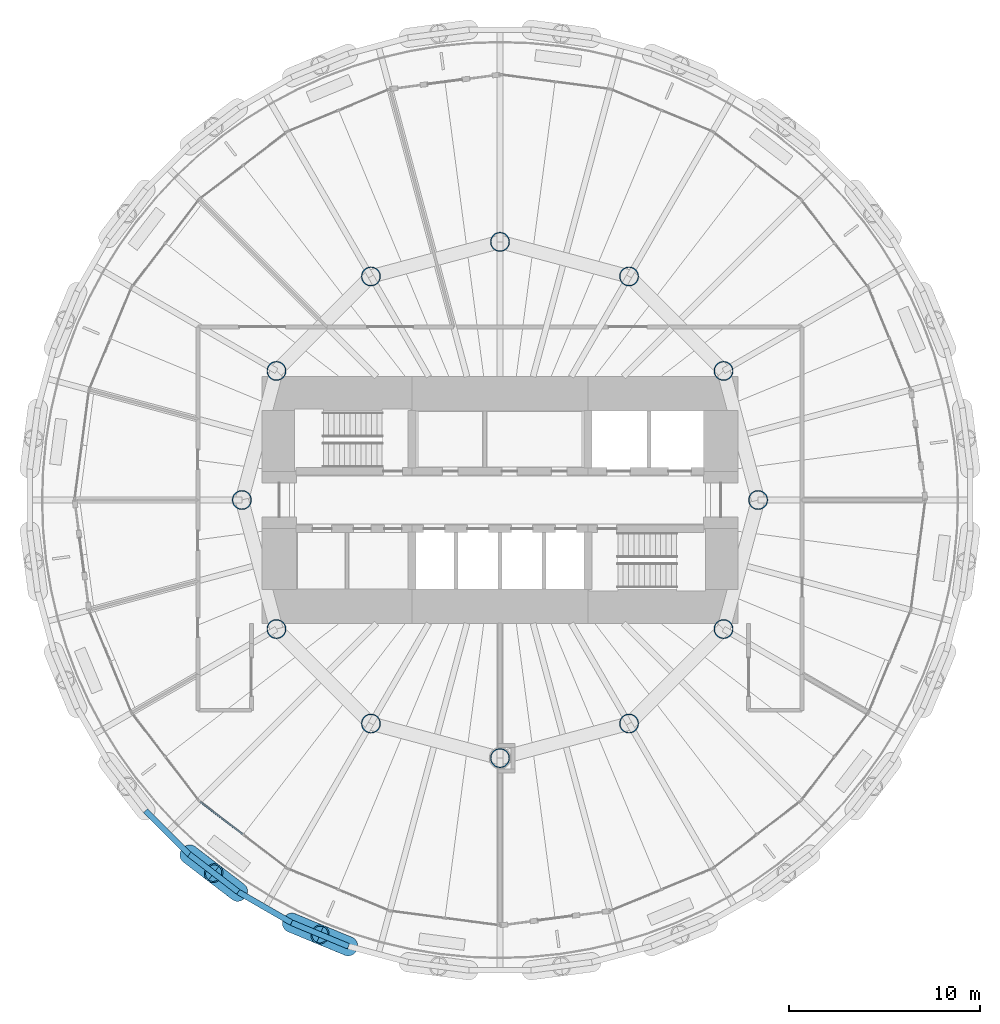
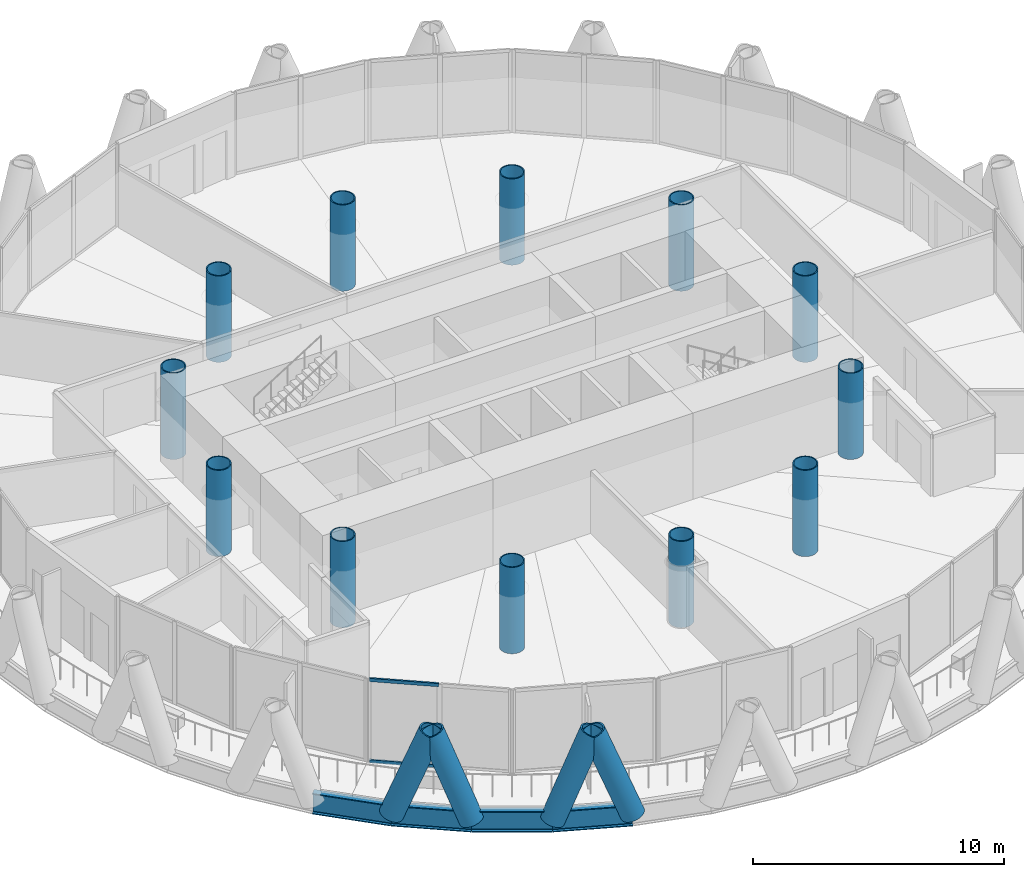
# One storey, part 1 of 15: 12 columns, 6 members, 4 beams, 1 element without a shape of its own.
"""IFC4 building model written with IfcOpenShell, lengths in metres."""

from ifc_helpers import new_model, si_unit, direction, frame, origin, origin_2d, place, context, subcontext, project, spatial, rectangle, hollow_circle, i_section, extrude, material, material_profile, profile_set, type_object, element, aggregate, save


model = new_model("IFC4")

# Units and contexts
model_context = context("Model", 3, precision=1e-05, world=origin(), true_north=direction((0.0, 1.0)))
body_context = subcontext(model_context, "Body", "Model", "MODEL_VIEW")
ifc_project = project(units=[si_unit("LENGTHUNIT", "METRE"), si_unit("AREAUNIT", "SQUARE_METRE"), si_unit("VOLUMEUNIT", "CUBIC_METRE"), si_unit("PLANEANGLEUNIT", "RADIAN"), si_unit("MASSUNIT", "GRAM", prefix="KILO")], contexts=[model_context])

# Site, building, storey
site_placement = place(None, origin())
site = spatial("IfcSite", under=ifc_project, at=site_placement, CompositionType="ELEMENT")
building_placement = place(site_placement, origin())
building = spatial("IfcBuilding", under=site, at=building_placement, Name="Qaws Media Tower", CompositionType="ELEMENT")
storey_placement = place(building_placement, frame((0.0, 0.0, 164.60009765625)))
storey = spatial("IfcBuildingStorey", under=building, at=storey_placement, Name="L37", CompositionType="ELEMENT", Elevation=164.60009765625)

# Columns
ifc_material_1 = material(Name="Steel S460", Category="steel")
ifc_material_profile_1 = material_profile(ifc_material_1, hollow_circle(Radius=0.508056640625, WallThickness=0.050048828125, at=origin_2d()), Name="CHS 1016x50")
ifc_profile_set_1 = profile_set([ifc_material_profile_1], Name="Steel S460")
column_type = type_object("IfcColumnType", Name="Inner column CHS 1016x50", PredefinedType="COLUMN", material=ifc_profile_set_1)
for number, where, z_axis, x_axis, name in (
    (1, (73.5, 50.0, 0.0), (0.0, 0.0, 1.0), (1.0, 0.0, 0.0), "C2 inner column I01 L37"),
    (2, (71.69140625, 56.75, 0.0), (0.0, 0.0, 1.0), (1.0, 0.0, 0.0), "C2 inner column I02 L37"),
    (3, (66.75, 61.69140625, 0.0), (0.0, 0.0, 1.0), (1.0, 0.0, 0.0), "C2 inner column I03 L37"),
    (4, (60.0, 63.5, 0.0), (0.0, 0.0, 1.0), (1.0, 0.0, 0.0), "C2 inner column I04 L37"),
    (5, (53.25, 61.69140625, 0.0), (0.0, 0.0, 1.0), (1.0, 0.0, 0.0), "C2 inner column I05 L37"),
    (6, (48.30859375, 56.75, 0.0), (0.0, 0.0, 1.0), (1.0, 0.0, 0.0), "C2 inner column I06 L37"),
    (7, (46.5, 50.0, 0.0), (0.0, 0.0, 1.0), (1.0, 0.0, 0.0), "C2 inner column I07 L37"),
    (8, (48.30859375, 43.25, 0.0), (0.0, 0.0, 1.0), (1.0, 0.0, 0.0), "C2 inner column I08 L37"),
    (9, (53.25, 38.30859375, 0.0), (0.0, 0.0, 1.0), (1.0, 0.0, 0.0), "C2 inner column I09 L37"),
    (10, (60.0, 36.5, 0.0), (0.0, 0.0, 1.0), (1.0, 0.0, 0.0), "C2 inner column I10 L37"),
    (11, (66.75, 38.30859375, 0.0), (0.0, 0.0, 1.0), (1.0, 0.0, 0.0), "C2 inner column I11 L37"),
    (12, (71.69140625, 43.25, 0.0), (0.0, 0.0, 1.0), (1.0, 0.0, 0.0), "C2 inner column I12 L37"),
):
    element("IfcColumn", number, at=place(storey_placement, frame(where, z_axis=z_axis, x_axis=x_axis)), inside=storey, type_object=column_type, Name=name, PredefinedType="COLUMN", context=body_context, shape_type="SweptSolid", body=[
        extrude(hollow_circle(Radius=0.508056640625, WallThickness=0.050048828125, at=origin_2d()), origin(), (0.0, 0.0, 1.0), 4.199951171875),
    ])

# Curtain wall, members
ifc_material_2 = material(Name="Aluminium and clear glass", Category="aluminium")
curtain_wall_type = type_object("IfcCurtainWallType", Name="Unitised curtain wall CW-B", PredefinedType="NOTDEFINED", material=ifc_material_2)
curtain_wall_placement = place(storey_placement, origin())
curtain_wall = element("IfcCurtainWall", 13, at=curtain_wall_placement, inside=storey, type_object=curtain_wall_type, Name="CWB curtain wall L37-16", PredefinedType="NOTDEFINED")
ifc_material_3 = material(Name="Aluminium transom", Category="aluminium")
ifc_material_profile_2 = material_profile(ifc_material_3, rectangle(XDim=0.080078125, YDim=0.159912109375, at=origin_2d()), Name="80x160")
ifc_profile_set_2 = profile_set([ifc_material_profile_2], Name="Aluminium transom")
member_type_1 = type_object("IfcMemberType", Name="Curtain wall transom 80x160", PredefinedType="USERDEFINED", material=ifc_profile_set_2)
member_1_placement = place(storey_placement, frame((44.330322265625, 34.21826171875, 0.039794921875), z_axis=(0.79334379464, -0.608773868942, 0.0), x_axis=(0.608773868942, 0.79334379464, 0.0)))
member_1 = element("IfcMember", 14, at=member_1_placement, type_object=member_type_1, Name="CWB transom 1.1", ObjectType="TRANSOM", PredefinedType="USERDEFINED", context=body_context, shape_type="SweptSolid", body=[
    extrude(rectangle(XDim=0.080078125, YDim=0.159912109375, at=origin_2d()), origin(), (0.0, 0.0, 1.0), 2.784423828125),
])
member_2_placement = place(storey_placement, frame((44.330322265625, 34.21826171875, 4.0), z_axis=(0.79334379464, -0.608773868942, 0.0), x_axis=(0.608773868942, 0.79334379464, 0.0)))
member_2 = element("IfcMember", 15, at=member_2_placement, type_object=member_type_1, Name="CWB transom 1.2", ObjectType="TRANSOM", PredefinedType="USERDEFINED", context=body_context, shape_type="SweptSolid", body=[
    extrude(rectangle(XDim=0.080078125, YDim=0.159912109375, at=origin_2d()), origin(), (0.0, 0.0, 1.0), 2.784423828125),
])
aggregate(curtain_wall, [member_1, member_2])

# Members
ifc_material_4 = material(Name="Steel S460", Category="steel")
ifc_material_profile_3 = material_profile(ifc_material_4, hollow_circle(Radius=0.508056640625, WallThickness=0.070068359375, at=origin_2d()), Name="CHS 1016x70")
ifc_profile_set_3 = profile_set([ifc_material_profile_3], Name="Steel S460")
member_type_2 = type_object("IfcMemberType", Name="Diagrid member CHS 1016x70", PredefinedType="USERDEFINED", material=ifc_profile_set_3)
for number, where, z_axis, x_axis, name in (
    (16, (43.7470703125, 31.467041015625, -0.6640625), (0.283933050557, -0.218647985607, 0.933581855646), (0.610127823764, 0.792302996756, 0.0), "DG3 diagrid L37 A16"),
    (17, (49.09765625, 27.89208984375, -0.6640625), (0.330823028294, -0.137734390717, 0.933587361506), (0.38435729259, 0.923184419081, 0.0), "DG3 diagrid L37 A17"),
    (18, (46.30517578125, 29.50439453125, -0.6640625), (-0.28469534615, 0.21761882159, 0.933590171526), (-0.607292699113, -0.794478179438, 0.0), "DG3 diagrid L37 B17"),
    (19, (52.076416015625, 26.658203125, -0.6640625), (-0.3313121209, 0.136540752856, 0.933589257304), (-0.381031615688, -0.924562008654, 0.0), "DG3 diagrid L37 B18"),
):
    element("IfcMember", number, at=place(storey_placement, frame(where, z_axis=z_axis, x_axis=x_axis)), inside=storey, type_object=member_type_2, Name=name, ObjectType="DIAGRID", PredefinedType="USERDEFINED", context=body_context, shape_type="SweptSolid", body=[
        extrude(hollow_circle(Radius=0.508056640625, WallThickness=0.070068359375, at=origin_2d()), origin(), (0.0, 0.0, 1.0), 4.498779296875),
    ])

# Beams
ifc_material_5 = material(Name="Steel S460", Category="steel")
ifc_material_profile_4 = material_profile(ifc_material_5, i_section(OverallWidth=0.302001953125, OverallDepth=1.008056640625, WebThickness=0.02099609375, FlangeThickness=0.0400390625, FilletRadius=0.030029296875, at=origin_2d()), Name="HE 1000 M")
ifc_profile_set_4 = profile_set([ifc_material_profile_4], Name="Steel S460")
beam_type = type_object("IfcBeamType", Name="Edge ring beam HE 1000 M", PredefinedType="BEAM", material=ifc_profile_set_4)
for number, where, z_axis, x_axis, name in (
    (20, (41.467041015625, 33.7470703125, -0.6640625), (0.707106781187, -0.707106781187, 0.0), (0.707106781187, 0.707106781187, 0.0), "RB3 edge ring beam L37-30"),
    (21, (43.7470703125, 31.467041015625, -0.6640625), (0.793391816766, -0.608711282209, 0.0), (0.608711282209, 0.793391816766, 0.0), "RB3 edge ring beam L37-31"),
):
    element("IfcBeam", number, at=place(storey_placement, frame(where, z_axis=z_axis, x_axis=x_axis)), inside=storey, type_object=beam_type, Name=name, PredefinedType="BEAM", context=body_context, shape_type="SweptSolid", body=[
        extrude(i_section(OverallWidth=0.302001953125, OverallDepth=1.008056640625, WebThickness=0.02099609375, FlangeThickness=0.0400390625, FilletRadius=0.030029296875, at=origin_2d()), origin(), (0.0, 0.0, 1.0), 3.224365234375),
    ])
beam_1_placement = place(storey_placement, frame((46.30517578125, 29.50439453125, -0.6640625), z_axis=(0.866016629664, -0.500015196914, 0.0), x_axis=(0.500015196914, 0.866016629664, 0.0)))
element("IfcBeam", 22, at=beam_1_placement, inside=storey, type_object=beam_type, Name="RB3 edge ring beam L37-32", PredefinedType="BEAM", context=body_context, shape_type="SweptSolid", body=[
    extrude(i_section(OverallWidth=0.302001953125, OverallDepth=1.008056640625, WebThickness=0.02099609375, FlangeThickness=0.0400390625, FilletRadius=0.030029296875, at=origin_2d()), origin(), (0.0, 0.0, 1.0), 3.224609375),
])
beam_2_placement = place(storey_placement, frame((49.09765625, 27.89208984375, -0.6640625), z_axis=(0.923874704855, -0.382695087151, 0.0), x_axis=(0.382695087151, 0.923874704855, 0.0)))
element("IfcBeam", 23, at=beam_2_placement, inside=storey, type_object=beam_type, Name="RB3 edge ring beam L37-33", PredefinedType="BEAM", context=body_context, shape_type="SweptSolid", body=[
    extrude(i_section(OverallWidth=0.302001953125, OverallDepth=1.008056640625, WebThickness=0.02099609375, FlangeThickness=0.0400390625, FilletRadius=0.030029296875, at=origin_2d()), origin(), (0.0, 0.0, 1.0), 3.22412109375),
])

save(model, "model.ifc")
